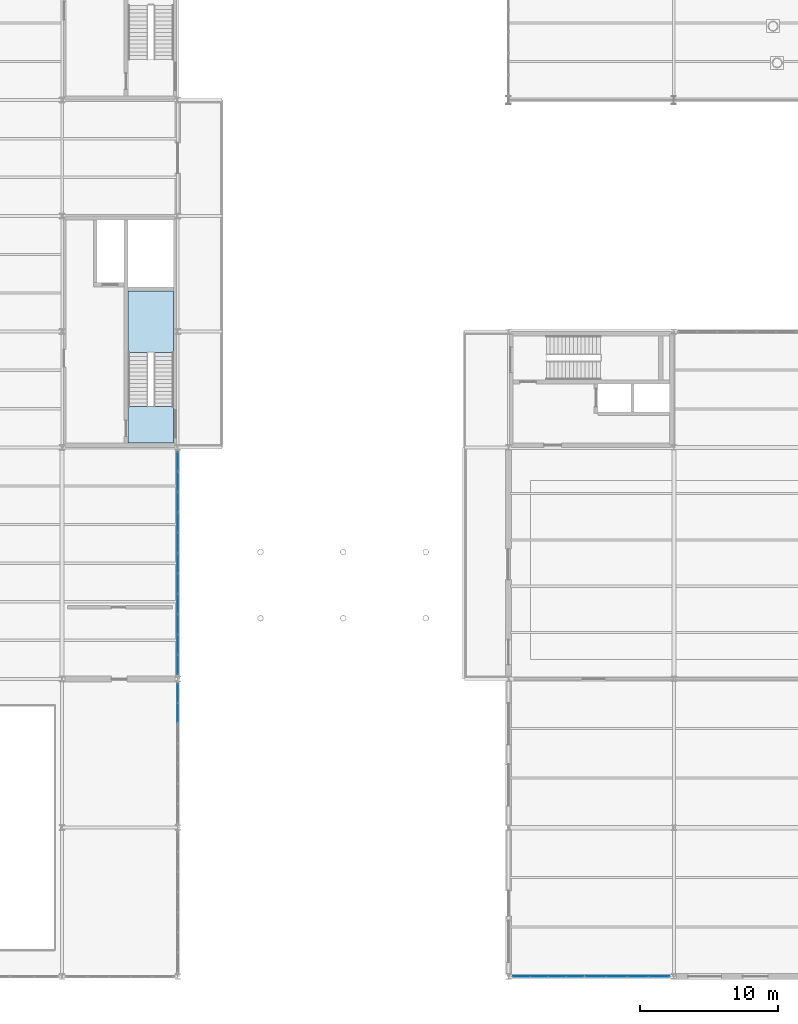
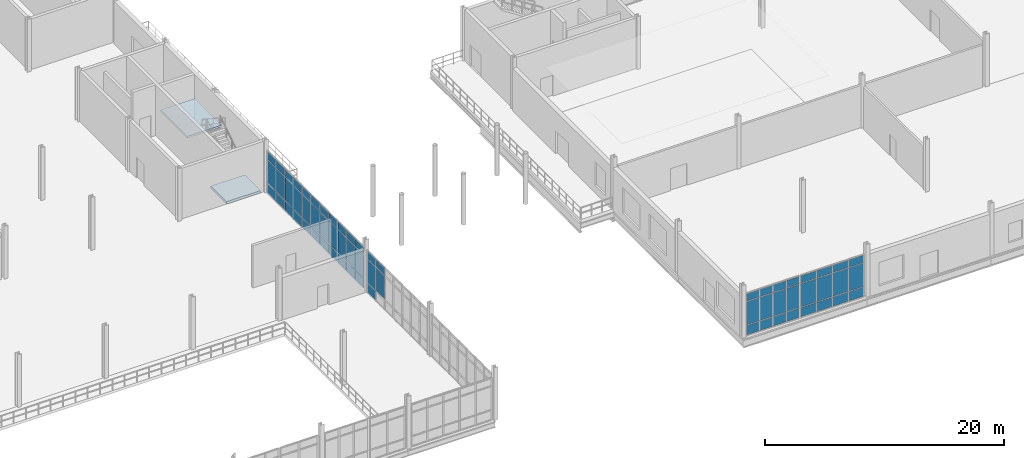
# One storey, part 82 of 111: 62 plates, 2 slabs, 5 elements without a shape of their own.
"""IFC4 building model written with IfcOpenShell, lengths in metres."""

from ifc_helpers import new_model, si_unit, direction, frame, origin, origin_2d, place, context, subcontext, project, spatial, polyline, rectangle, outline, extrude, material, layer, layer_set, type_object, element, aggregate, save


model = new_model("IFC4")

# Units and contexts
model_context = context("Model", 3, precision=1e-05, world=origin(), true_north=direction((0.0, 1.0)))
body_context = subcontext(model_context, "Body", "Model", "MODEL_VIEW")
ifc_project = project(units=[si_unit("LENGTHUNIT", "METRE"), si_unit("AREAUNIT", "SQUARE_METRE"), si_unit("VOLUMEUNIT", "CUBIC_METRE"), si_unit("PLANEANGLEUNIT", "RADIAN"), si_unit("MASSUNIT", "GRAM", prefix="KILO"), si_unit("THERMODYNAMICTEMPERATUREUNIT", "KELVIN"), si_unit("POWERUNIT", "WATT")], contexts=[model_context])

# Site, building, storey
site_placement = place(None, origin())
site = spatial("IfcSite", under=ifc_project, at=site_placement, CompositionType="ELEMENT")
building_placement = place(site_placement, origin())
building = spatial("IfcBuilding", under=site, at=building_placement, Name="Tembeka Court Mobility Hub", CompositionType="ELEMENT")
storey_placement = place(building_placement, origin())
storey = spatial("IfcBuildingStorey", under=building, at=storey_placement, Name="L00", CompositionType="ELEMENT", Elevation=0.0)

# Curtain wall, plates
ifc_material_1 = material(Name="Anodised aluminium 6063-T6", Category="aluminium")
ifc_layer_1 = layer(ifc_material_1, 0.159912109375)
ifc_layer_set_1 = layer_set([ifc_layer_1], Name="Anodised aluminium 6063-T6")
curtain_wall_type_1 = type_object("IfcCurtainWallType", Name="CW-SYS18", PredefinedType="USERDEFINED", material=ifc_layer_set_1)
curtain_wall_1_placement = place(storey_placement, origin())
curtain_wall_1 = element("IfcCurtainWall", 1, at=curtain_wall_1_placement, inside=storey, type_object=curtain_wall_type_1, Name="Unitised curtain wall CW18 (CW-L00-025)", ObjectType="UNITISED GLAZING", PredefinedType="USERDEFINED")
ifc_material_2 = material(Name="Laminated solar-control low-E glass", Category="glass")
ifc_layer_2 = layer(ifc_material_2, 0.028076171875)
ifc_layer_set_2 = layer_set([ifc_layer_2], Name="Laminated solar-control low-E glass")
plate_type = type_object("IfcPlateType", Name="PL-CW01", PredefinedType="CURTAIN_PANEL", material=ifc_layer_set_2)
plate_1_placement = place(storey_placement, frame((92.39990234375, 19.125732421875, 1.08251953125), z_axis=(0.0, 0.0, 1.0), x_axis=(0.0, 1.0, 0.0)))
plate_1 = element("IfcPlate", 2, at=plate_1_placement, type_object=plate_type, Name="CW18 panel 6.2", PredefinedType="CURTAIN_PANEL", context=body_context, shape_type="SweptSolid", body=[
    extrude(rectangle(XDim=1.39794921875, YDim=0.028076171875, at=origin_2d()), origin(), (0.0, 0.0, 1.0), 2.3701171875),
])
plate_2_placement = place(storey_placement, frame((92.39990234375, 19.125732421875, 3.517578125), z_axis=(0.0, 0.0, 1.0), x_axis=(0.0, 1.0, 0.0)))
plate_2 = element("IfcPlate", 3, at=plate_2_placement, type_object=plate_type, Name="CW18 panel 6.3", PredefinedType="CURTAIN_PANEL", context=body_context, shape_type="SweptSolid", body=[
    extrude(rectangle(XDim=1.39794921875, YDim=0.028076171875, at=origin_2d()), origin(), (0.0, 0.0, 1.0), 0.75244140625),
])
plate_3_placement = place(storey_placement, frame((92.39990234375, 20.572265625, 0.06494140625), z_axis=(0.0, 0.0, 1.0), x_axis=(0.0, 1.0, 0.0)))
plate_3 = element("IfcPlate", 4, at=plate_3_placement, type_object=plate_type, Name="CW18 panel 7.1", PredefinedType="CURTAIN_PANEL", context=body_context, shape_type="SweptSolid", body=[
    extrude(rectangle(XDim=1.365478515625, YDim=0.028076171875, at=origin_2d()), origin(), (0.0, 0.0, 1.0), 0.952392578125),
])
plate_4_placement = place(storey_placement, frame((92.39990234375, 20.572265625, 1.08251953125), z_axis=(0.0, 0.0, 1.0), x_axis=(0.0, 1.0, 0.0)))
plate_4 = element("IfcPlate", 5, at=plate_4_placement, type_object=plate_type, Name="CW18 panel 7.2", PredefinedType="CURTAIN_PANEL", context=body_context, shape_type="SweptSolid", body=[
    extrude(rectangle(XDim=1.365478515625, YDim=0.028076171875, at=origin_2d()), origin(), (0.0, 0.0, 1.0), 2.3701171875),
])
plate_5_placement = place(storey_placement, frame((92.39990234375, 20.572265625, 3.517578125), z_axis=(0.0, 0.0, 1.0), x_axis=(0.0, 1.0, 0.0)))
plate_5 = element("IfcPlate", 6, at=plate_5_placement, type_object=plate_type, Name="CW18 panel 7.3", PredefinedType="CURTAIN_PANEL", context=body_context, shape_type="SweptSolid", body=[
    extrude(rectangle(XDim=1.365478515625, YDim=0.028076171875, at=origin_2d()), origin(), (0.0, 0.0, 1.0), 0.75244140625),
])
aggregate(curtain_wall_1, [plate_1, plate_2, plate_3, plate_4, plate_5])

ifc_layer_3 = layer(ifc_material_1, 0.159912109375)
ifc_layer_set_3 = layer_set([ifc_layer_3], Name="Anodised aluminium 6063-T6")
curtain_wall_type_2 = type_object("IfcCurtainWallType", Name="CW-SYS19", PredefinedType="USERDEFINED", material=ifc_layer_set_3)
curtain_wall_2_placement = place(storey_placement, origin())
curtain_wall_2 = element("IfcCurtainWall", 7, at=curtain_wall_2_placement, inside=storey, type_object=curtain_wall_type_2, Name="Unitised curtain wall CW19 (CW-L00-027)", ObjectType="UNITISED GLAZING", PredefinedType="USERDEFINED")
plate_6_placement = place(storey_placement, frame((92.39990234375, 22.634521484375, 0.06494140625), z_axis=(0.0, 0.0, 1.0), x_axis=(0.0, 1.0, 0.0)))
plate_6 = element("IfcPlate", 8, at=plate_6_placement, type_object=plate_type, Name="CW19 panel 1.1", PredefinedType="CURTAIN_PANEL", context=body_context, shape_type="SweptSolid", body=[
    extrude(rectangle(XDim=1.37890625, YDim=0.028076171875, at=origin_2d()), origin(), (0.0, 0.0, 1.0), 0.952392578125),
])
plate_7_placement = place(storey_placement, frame((92.39990234375, 22.634521484375, 1.08251953125), z_axis=(0.0, 0.0, 1.0), x_axis=(0.0, 1.0, 0.0)))
plate_7 = element("IfcPlate", 9, at=plate_7_placement, type_object=plate_type, Name="CW19 panel 1.2", PredefinedType="CURTAIN_PANEL", context=body_context, shape_type="SweptSolid", body=[
    extrude(rectangle(XDim=1.37890625, YDim=0.028076171875, at=origin_2d()), origin(), (0.0, 0.0, 1.0), 2.3701171875),
])
plate_8_placement = place(storey_placement, frame((92.39990234375, 22.634521484375, 3.517578125), z_axis=(0.0, 0.0, 1.0), x_axis=(0.0, 1.0, 0.0)))
plate_8 = element("IfcPlate", 10, at=plate_8_placement, type_object=plate_type, Name="CW19 panel 1.3", PredefinedType="CURTAIN_PANEL", context=body_context, shape_type="SweptSolid", body=[
    extrude(rectangle(XDim=1.37890625, YDim=0.028076171875, at=origin_2d()), origin(), (0.0, 0.0, 1.0), 0.75244140625),
])
plate_9_placement = place(storey_placement, frame((92.39990234375, 24.094482421875, 0.06494140625), z_axis=(0.0, 0.0, 1.0), x_axis=(0.0, 1.0, 0.0)))
plate_9 = element("IfcPlate", 11, at=plate_9_placement, type_object=plate_type, Name="CW19 panel 2.1", PredefinedType="CURTAIN_PANEL", context=body_context, shape_type="SweptSolid", body=[
    extrude(rectangle(XDim=1.411376953125, YDim=0.028076171875, at=origin_2d()), origin(), (0.0, 0.0, 1.0), 0.952392578125),
])
plate_10_placement = place(storey_placement, frame((92.39990234375, 24.094482421875, 1.08251953125), z_axis=(0.0, 0.0, 1.0), x_axis=(0.0, 1.0, 0.0)))
plate_10 = element("IfcPlate", 12, at=plate_10_placement, type_object=plate_type, Name="CW19 panel 2.2", PredefinedType="CURTAIN_PANEL", context=body_context, shape_type="SweptSolid", body=[
    extrude(rectangle(XDim=1.411376953125, YDim=0.028076171875, at=origin_2d()), origin(), (0.0, 0.0, 1.0), 2.3701171875),
])
plate_11_placement = place(storey_placement, frame((92.39990234375, 24.094482421875, 3.517578125), z_axis=(0.0, 0.0, 1.0), x_axis=(0.0, 1.0, 0.0)))
plate_11 = element("IfcPlate", 13, at=plate_11_placement, type_object=plate_type, Name="CW19 panel 2.3", PredefinedType="CURTAIN_PANEL", context=body_context, shape_type="SweptSolid", body=[
    extrude(rectangle(XDim=1.411376953125, YDim=0.028076171875, at=origin_2d()), origin(), (0.0, 0.0, 1.0), 0.75244140625),
])
plate_12_placement = place(storey_placement, frame((92.39990234375, 25.57080078125, 0.06494140625), z_axis=(0.0, 0.0, 1.0), x_axis=(0.0, 1.0, 0.0)))
plate_12 = element("IfcPlate", 14, at=plate_12_placement, type_object=plate_type, Name="CW19 panel 3.1", PredefinedType="CURTAIN_PANEL", context=body_context, shape_type="SweptSolid", body=[
    extrude(rectangle(XDim=1.411376953125, YDim=0.028076171875, at=origin_2d()), origin(), (0.0, 0.0, 1.0), 0.952392578125),
])
plate_13_placement = place(storey_placement, frame((92.39990234375, 25.57080078125, 1.08251953125), z_axis=(0.0, 0.0, 1.0), x_axis=(0.0, 1.0, 0.0)))
plate_13 = element("IfcPlate", 15, at=plate_13_placement, type_object=plate_type, Name="CW19 panel 3.2", PredefinedType="CURTAIN_PANEL", context=body_context, shape_type="SweptSolid", body=[
    extrude(rectangle(XDim=1.411376953125, YDim=0.028076171875, at=origin_2d()), origin(), (0.0, 0.0, 1.0), 2.3701171875),
])
plate_14_placement = place(storey_placement, frame((92.39990234375, 25.57080078125, 3.517578125), z_axis=(0.0, 0.0, 1.0), x_axis=(0.0, 1.0, 0.0)))
plate_14 = element("IfcPlate", 16, at=plate_14_placement, type_object=plate_type, Name="CW19 panel 3.3", PredefinedType="CURTAIN_PANEL", context=body_context, shape_type="SweptSolid", body=[
    extrude(rectangle(XDim=1.411376953125, YDim=0.028076171875, at=origin_2d()), origin(), (0.0, 0.0, 1.0), 0.75244140625),
])
plate_15_placement = place(storey_placement, frame((92.39990234375, 27.04736328125, 0.06494140625), z_axis=(0.0, 0.0, 1.0), x_axis=(0.0, 1.0, 0.0)))
plate_15 = element("IfcPlate", 17, at=plate_15_placement, type_object=plate_type, Name="CW19 panel 4.1", PredefinedType="CURTAIN_PANEL", context=body_context, shape_type="SweptSolid", body=[
    extrude(rectangle(XDim=1.411376953125, YDim=0.028076171875, at=origin_2d()), origin(), (0.0, 0.0, 1.0), 0.952392578125),
])
plate_16_placement = place(storey_placement, frame((92.39990234375, 27.04736328125, 1.08251953125), z_axis=(0.0, 0.0, 1.0), x_axis=(0.0, 1.0, 0.0)))
plate_16 = element("IfcPlate", 18, at=plate_16_placement, type_object=plate_type, Name="CW19 panel 4.2", PredefinedType="CURTAIN_PANEL", context=body_context, shape_type="SweptSolid", body=[
    extrude(rectangle(XDim=1.411376953125, YDim=0.028076171875, at=origin_2d()), origin(), (0.0, 0.0, 1.0), 2.3701171875),
])
plate_17_placement = place(storey_placement, frame((92.39990234375, 27.04736328125, 3.517578125), z_axis=(0.0, 0.0, 1.0), x_axis=(0.0, 1.0, 0.0)))
plate_17 = element("IfcPlate", 19, at=plate_17_placement, type_object=plate_type, Name="CW19 panel 4.3", PredefinedType="CURTAIN_PANEL", context=body_context, shape_type="SweptSolid", body=[
    extrude(rectangle(XDim=1.411376953125, YDim=0.028076171875, at=origin_2d()), origin(), (0.0, 0.0, 1.0), 0.75244140625),
])
plate_18_placement = place(storey_placement, frame((92.39990234375, 28.523681640625, 0.06494140625), z_axis=(0.0, 0.0, 1.0), x_axis=(0.0, 1.0, 0.0)))
plate_18 = element("IfcPlate", 20, at=plate_18_placement, type_object=plate_type, Name="CW19 panel 5.1", PredefinedType="CURTAIN_PANEL", context=body_context, shape_type="SweptSolid", body=[
    extrude(rectangle(XDim=1.411376953125, YDim=0.028076171875, at=origin_2d()), origin(), (0.0, 0.0, 1.0), 0.952392578125),
])
plate_19_placement = place(storey_placement, frame((92.39990234375, 28.523681640625, 1.08251953125), z_axis=(0.0, 0.0, 1.0), x_axis=(0.0, 1.0, 0.0)))
plate_19 = element("IfcPlate", 21, at=plate_19_placement, type_object=plate_type, Name="CW19 panel 5.2", PredefinedType="CURTAIN_PANEL", context=body_context, shape_type="SweptSolid", body=[
    extrude(rectangle(XDim=1.411376953125, YDim=0.028076171875, at=origin_2d()), origin(), (0.0, 0.0, 1.0), 2.3701171875),
])
plate_20_placement = place(storey_placement, frame((92.39990234375, 28.523681640625, 3.517578125), z_axis=(0.0, 0.0, 1.0), x_axis=(0.0, 1.0, 0.0)))
plate_20 = element("IfcPlate", 22, at=plate_20_placement, type_object=plate_type, Name="CW19 panel 5.3", PredefinedType="CURTAIN_PANEL", context=body_context, shape_type="SweptSolid", body=[
    extrude(rectangle(XDim=1.411376953125, YDim=0.028076171875, at=origin_2d()), origin(), (0.0, 0.0, 1.0), 0.75244140625),
])
plate_21_placement = place(storey_placement, frame((92.39990234375, 30.0, 0.06494140625), z_axis=(0.0, 0.0, 1.0), x_axis=(0.0, 1.0, 0.0)))
plate_21 = element("IfcPlate", 23, at=plate_21_placement, type_object=plate_type, Name="CW19 panel 6.1", PredefinedType="CURTAIN_PANEL", context=body_context, shape_type="SweptSolid", body=[
    extrude(rectangle(XDim=1.411376953125, YDim=0.028076171875, at=origin_2d()), origin(), (0.0, 0.0, 1.0), 0.952392578125),
])
plate_22_placement = place(storey_placement, frame((92.39990234375, 30.0, 1.08251953125), z_axis=(0.0, 0.0, 1.0), x_axis=(0.0, 1.0, 0.0)))
plate_22 = element("IfcPlate", 24, at=plate_22_placement, type_object=plate_type, Name="CW19 panel 6.2", PredefinedType="CURTAIN_PANEL", context=body_context, shape_type="SweptSolid", body=[
    extrude(rectangle(XDim=1.411376953125, YDim=0.028076171875, at=origin_2d()), origin(), (0.0, 0.0, 1.0), 2.3701171875),
])
plate_23_placement = place(storey_placement, frame((92.39990234375, 30.0, 3.517578125), z_axis=(0.0, 0.0, 1.0), x_axis=(0.0, 1.0, 0.0)))
plate_23 = element("IfcPlate", 25, at=plate_23_placement, type_object=plate_type, Name="CW19 panel 6.3", PredefinedType="CURTAIN_PANEL", context=body_context, shape_type="SweptSolid", body=[
    extrude(rectangle(XDim=1.411376953125, YDim=0.028076171875, at=origin_2d()), origin(), (0.0, 0.0, 1.0), 0.75244140625),
])
plate_24_placement = place(storey_placement, frame((92.39990234375, 31.476318359375, 0.06494140625), z_axis=(0.0, 0.0, 1.0), x_axis=(0.0, 1.0, 0.0)))
plate_24 = element("IfcPlate", 26, at=plate_24_placement, type_object=plate_type, Name="CW19 panel 7.1", PredefinedType="CURTAIN_PANEL", context=body_context, shape_type="SweptSolid", body=[
    extrude(rectangle(XDim=1.411376953125, YDim=0.028076171875, at=origin_2d()), origin(), (0.0, 0.0, 1.0), 0.952392578125),
])
plate_25_placement = place(storey_placement, frame((92.39990234375, 31.476318359375, 1.08251953125), z_axis=(0.0, 0.0, 1.0), x_axis=(0.0, 1.0, 0.0)))
plate_25 = element("IfcPlate", 27, at=plate_25_placement, type_object=plate_type, Name="CW19 panel 7.2", PredefinedType="CURTAIN_PANEL", context=body_context, shape_type="SweptSolid", body=[
    extrude(rectangle(XDim=1.411376953125, YDim=0.028076171875, at=origin_2d()), origin(), (0.0, 0.0, 1.0), 2.3701171875),
])
plate_26_placement = place(storey_placement, frame((92.39990234375, 31.476318359375, 3.517578125), z_axis=(0.0, 0.0, 1.0), x_axis=(0.0, 1.0, 0.0)))
plate_26 = element("IfcPlate", 28, at=plate_26_placement, type_object=plate_type, Name="CW19 panel 7.3", PredefinedType="CURTAIN_PANEL", context=body_context, shape_type="SweptSolid", body=[
    extrude(rectangle(XDim=1.411376953125, YDim=0.028076171875, at=origin_2d()), origin(), (0.0, 0.0, 1.0), 0.75244140625),
])
plate_27_placement = place(storey_placement, frame((92.39990234375, 32.95263671875, 0.06494140625), z_axis=(0.0, 0.0, 1.0), x_axis=(0.0, 1.0, 0.0)))
plate_27 = element("IfcPlate", 29, at=plate_27_placement, type_object=plate_type, Name="CW19 panel 8.1", PredefinedType="CURTAIN_PANEL", context=body_context, shape_type="SweptSolid", body=[
    extrude(rectangle(XDim=1.411376953125, YDim=0.028076171875, at=origin_2d()), origin(), (0.0, 0.0, 1.0), 0.952392578125),
])
plate_28_placement = place(storey_placement, frame((92.39990234375, 32.95263671875, 1.08251953125), z_axis=(0.0, 0.0, 1.0), x_axis=(0.0, 1.0, 0.0)))
plate_28 = element("IfcPlate", 30, at=plate_28_placement, type_object=plate_type, Name="CW19 panel 8.2", PredefinedType="CURTAIN_PANEL", context=body_context, shape_type="SweptSolid", body=[
    extrude(rectangle(XDim=1.411376953125, YDim=0.028076171875, at=origin_2d()), origin(), (0.0, 0.0, 1.0), 2.3701171875),
])
plate_29_placement = place(storey_placement, frame((92.39990234375, 32.95263671875, 3.517578125), z_axis=(0.0, 0.0, 1.0), x_axis=(0.0, 1.0, 0.0)))
plate_29 = element("IfcPlate", 31, at=plate_29_placement, type_object=plate_type, Name="CW19 panel 8.3", PredefinedType="CURTAIN_PANEL", context=body_context, shape_type="SweptSolid", body=[
    extrude(rectangle(XDim=1.411376953125, YDim=0.028076171875, at=origin_2d()), origin(), (0.0, 0.0, 1.0), 0.75244140625),
])
plate_30_placement = place(storey_placement, frame((92.39990234375, 34.42919921875, 0.06494140625), z_axis=(0.0, 0.0, 1.0), x_axis=(0.0, 1.0, 0.0)))
plate_30 = element("IfcPlate", 32, at=plate_30_placement, type_object=plate_type, Name="CW19 panel 9.1", PredefinedType="CURTAIN_PANEL", context=body_context, shape_type="SweptSolid", body=[
    extrude(rectangle(XDim=1.411376953125, YDim=0.028076171875, at=origin_2d()), origin(), (0.0, 0.0, 1.0), 0.952392578125),
])
plate_31_placement = place(storey_placement, frame((92.39990234375, 34.42919921875, 1.08251953125), z_axis=(0.0, 0.0, 1.0), x_axis=(0.0, 1.0, 0.0)))
plate_31 = element("IfcPlate", 33, at=plate_31_placement, type_object=plate_type, Name="CW19 panel 9.2", PredefinedType="CURTAIN_PANEL", context=body_context, shape_type="SweptSolid", body=[
    extrude(rectangle(XDim=1.411376953125, YDim=0.028076171875, at=origin_2d()), origin(), (0.0, 0.0, 1.0), 2.3701171875),
])
plate_32_placement = place(storey_placement, frame((92.39990234375, 34.42919921875, 3.517578125), z_axis=(0.0, 0.0, 1.0), x_axis=(0.0, 1.0, 0.0)))
plate_32 = element("IfcPlate", 34, at=plate_32_placement, type_object=plate_type, Name="CW19 panel 9.3", PredefinedType="CURTAIN_PANEL", context=body_context, shape_type="SweptSolid", body=[
    extrude(rectangle(XDim=1.411376953125, YDim=0.028076171875, at=origin_2d()), origin(), (0.0, 0.0, 1.0), 0.75244140625),
])
plate_33_placement = place(storey_placement, frame((92.39990234375, 35.905517578125, 0.06494140625), z_axis=(0.0, 0.0, 1.0), x_axis=(0.0, 1.0, 0.0)))
plate_33 = element("IfcPlate", 35, at=plate_33_placement, type_object=plate_type, Name="CW19 panel 10.1", PredefinedType="CURTAIN_PANEL", context=body_context, shape_type="SweptSolid", body=[
    extrude(rectangle(XDim=1.411376953125, YDim=0.028076171875, at=origin_2d()), origin(), (0.0, 0.0, 1.0), 0.952392578125),
])
plate_34_placement = place(storey_placement, frame((92.39990234375, 35.905517578125, 1.08251953125), z_axis=(0.0, 0.0, 1.0), x_axis=(0.0, 1.0, 0.0)))
plate_34 = element("IfcPlate", 36, at=plate_34_placement, type_object=plate_type, Name="CW19 panel 10.2", PredefinedType="CURTAIN_PANEL", context=body_context, shape_type="SweptSolid", body=[
    extrude(rectangle(XDim=1.411376953125, YDim=0.028076171875, at=origin_2d()), origin(), (0.0, 0.0, 1.0), 2.3701171875),
])
plate_35_placement = place(storey_placement, frame((92.39990234375, 35.905517578125, 3.517578125), z_axis=(0.0, 0.0, 1.0), x_axis=(0.0, 1.0, 0.0)))
plate_35 = element("IfcPlate", 37, at=plate_35_placement, type_object=plate_type, Name="CW19 panel 10.3", PredefinedType="CURTAIN_PANEL", context=body_context, shape_type="SweptSolid", body=[
    extrude(rectangle(XDim=1.411376953125, YDim=0.028076171875, at=origin_2d()), origin(), (0.0, 0.0, 1.0), 0.75244140625),
])
plate_36_placement = place(storey_placement, frame((92.39990234375, 37.365478515625, 0.06494140625), z_axis=(0.0, 0.0, 1.0), x_axis=(0.0, 1.0, 0.0)))
plate_36 = element("IfcPlate", 38, at=plate_36_placement, type_object=plate_type, Name="CW19 panel 11.1", PredefinedType="CURTAIN_PANEL", context=body_context, shape_type="SweptSolid", body=[
    extrude(rectangle(XDim=1.37890625, YDim=0.028076171875, at=origin_2d()), origin(), (0.0, 0.0, 1.0), 0.952392578125),
])
plate_37_placement = place(storey_placement, frame((92.39990234375, 37.365478515625, 1.08251953125), z_axis=(0.0, 0.0, 1.0), x_axis=(0.0, 1.0, 0.0)))
plate_37 = element("IfcPlate", 39, at=plate_37_placement, type_object=plate_type, Name="CW19 panel 11.2", PredefinedType="CURTAIN_PANEL", context=body_context, shape_type="SweptSolid", body=[
    extrude(rectangle(XDim=1.37890625, YDim=0.028076171875, at=origin_2d()), origin(), (0.0, 0.0, 1.0), 2.3701171875),
])
plate_38_placement = place(storey_placement, frame((92.39990234375, 37.365478515625, 3.517578125), z_axis=(0.0, 0.0, 1.0), x_axis=(0.0, 1.0, 0.0)))
plate_38 = element("IfcPlate", 40, at=plate_38_placement, type_object=plate_type, Name="CW19 panel 11.3", PredefinedType="CURTAIN_PANEL", context=body_context, shape_type="SweptSolid", body=[
    extrude(rectangle(XDim=1.37890625, YDim=0.028076171875, at=origin_2d()), origin(), (0.0, 0.0, 1.0), 0.75244140625),
])
aggregate(curtain_wall_2, [plate_6, plate_7, plate_8, plate_9, plate_10, plate_11, plate_12, plate_13, plate_14, plate_15, plate_16, plate_17, plate_18, plate_19, plate_20, plate_21, plate_22, plate_23, plate_24, plate_25, plate_26, plate_27, plate_28, plate_29, plate_30, plate_31, plate_32, plate_33, plate_34, plate_35, plate_36, plate_37, plate_38])

ifc_layer_4 = layer(ifc_material_1, 0.159912109375)
ifc_layer_set_4 = layer_set([ifc_layer_4], Name="Anodised aluminium 6063-T6")
curtain_wall_type_3 = type_object("IfcCurtainWallType", Name="CW-SYS31", PredefinedType="USERDEFINED", material=ifc_layer_set_4)
curtain_wall_3_placement = place(storey_placement, origin())
curtain_wall_3 = element("IfcCurtainWall", 41, at=curtain_wall_3_placement, inside=storey, type_object=curtain_wall_type_3, Name="Unitised curtain wall CW31 (CW-L00-093)", ObjectType="UNITISED GLAZING", PredefinedType="USERDEFINED")
plate_39_placement = place(storey_placement, frame((117.3486328125, 0.0, 0.06494140625), z_axis=(0.0, 0.0, 1.0), x_axis=(1.0, 0.0, 0.0)))
plate_39 = element("IfcPlate", 42, at=plate_39_placement, type_object=plate_type, Name="CW31 panel 1.1", PredefinedType="CURTAIN_PANEL", context=body_context, shape_type="SweptSolid", body=[
    extrude(rectangle(XDim=1.20751953125, YDim=0.028076171875, at=origin_2d()), origin(), (0.0, 0.0, 1.0), 0.952392578125),
])
plate_40_placement = place(storey_placement, frame((117.3486328125, 0.0, 1.08251953125), z_axis=(0.0, 0.0, 1.0), x_axis=(1.0, 0.0, 0.0)))
plate_40 = element("IfcPlate", 43, at=plate_40_placement, type_object=plate_type, Name="CW31 panel 1.2", PredefinedType="CURTAIN_PANEL", context=body_context, shape_type="SweptSolid", body=[
    extrude(rectangle(XDim=1.20751953125, YDim=0.028076171875, at=origin_2d()), origin(), (0.0, 0.0, 1.0), 2.3701171875),
])
plate_41_placement = place(storey_placement, frame((117.3486328125, 0.0, 3.517578125), z_axis=(0.0, 0.0, 1.0), x_axis=(1.0, 0.0, 0.0)))
plate_41 = element("IfcPlate", 44, at=plate_41_placement, type_object=plate_type, Name="CW31 panel 1.3", PredefinedType="CURTAIN_PANEL", context=body_context, shape_type="SweptSolid", body=[
    extrude(rectangle(XDim=1.20751953125, YDim=0.028076171875, at=origin_2d()), origin(), (0.0, 0.0, 1.0), 0.75244140625),
])
plate_42_placement = place(storey_placement, frame((118.637451171875, 0.0, 0.06494140625), z_axis=(0.0, 0.0, 1.0), x_axis=(1.0, 0.0, 0.0)))
plate_42 = element("IfcPlate", 45, at=plate_42_placement, type_object=plate_type, Name="CW31 panel 2.1", PredefinedType="CURTAIN_PANEL", context=body_context, shape_type="SweptSolid", body=[
    extrude(rectangle(XDim=1.239990234375, YDim=0.028076171875, at=origin_2d()), origin(), (0.0, 0.0, 1.0), 0.952392578125),
])
plate_43_placement = place(storey_placement, frame((118.637451171875, 0.0, 1.08251953125), z_axis=(0.0, 0.0, 1.0), x_axis=(1.0, 0.0, 0.0)))
plate_43 = element("IfcPlate", 46, at=plate_43_placement, type_object=plate_type, Name="CW31 panel 2.2", PredefinedType="CURTAIN_PANEL", context=body_context, shape_type="SweptSolid", body=[
    extrude(rectangle(XDim=1.239990234375, YDim=0.028076171875, at=origin_2d()), origin(), (0.0, 0.0, 1.0), 2.3701171875),
])
plate_44_placement = place(storey_placement, frame((118.637451171875, 0.0, 3.517578125), z_axis=(0.0, 0.0, 1.0), x_axis=(1.0, 0.0, 0.0)))
plate_44 = element("IfcPlate", 47, at=plate_44_placement, type_object=plate_type, Name="CW31 panel 2.3", PredefinedType="CURTAIN_PANEL", context=body_context, shape_type="SweptSolid", body=[
    extrude(rectangle(XDim=1.239990234375, YDim=0.028076171875, at=origin_2d()), origin(), (0.0, 0.0, 1.0), 0.75244140625),
])
plate_45_placement = place(storey_placement, frame((119.9423828125, 0.0, 0.06494140625), z_axis=(0.0, 0.0, 1.0), x_axis=(1.0, 0.0, 0.0)))
plate_45 = element("IfcPlate", 48, at=plate_45_placement, type_object=plate_type, Name="CW31 panel 3.1", PredefinedType="CURTAIN_PANEL", context=body_context, shape_type="SweptSolid", body=[
    extrude(rectangle(XDim=1.239990234375, YDim=0.028076171875, at=origin_2d()), origin(), (0.0, 0.0, 1.0), 0.952392578125),
])
plate_46_placement = place(storey_placement, frame((119.9423828125, 0.0, 1.08251953125), z_axis=(0.0, 0.0, 1.0), x_axis=(1.0, 0.0, 0.0)))
plate_46 = element("IfcPlate", 49, at=plate_46_placement, type_object=plate_type, Name="CW31 panel 3.2", PredefinedType="CURTAIN_PANEL", context=body_context, shape_type="SweptSolid", body=[
    extrude(rectangle(XDim=1.239990234375, YDim=0.028076171875, at=origin_2d()), origin(), (0.0, 0.0, 1.0), 2.3701171875),
])
plate_47_placement = place(storey_placement, frame((119.9423828125, 0.0, 3.517578125), z_axis=(0.0, 0.0, 1.0), x_axis=(1.0, 0.0, 0.0)))
plate_47 = element("IfcPlate", 50, at=plate_47_placement, type_object=plate_type, Name="CW31 panel 3.3", PredefinedType="CURTAIN_PANEL", context=body_context, shape_type="SweptSolid", body=[
    extrude(rectangle(XDim=1.239990234375, YDim=0.028076171875, at=origin_2d()), origin(), (0.0, 0.0, 1.0), 0.75244140625),
])
plate_48_placement = place(storey_placement, frame((121.231201171875, 0.0, 0.06494140625), z_axis=(0.0, 0.0, 1.0), x_axis=(1.0, 0.0, 0.0)))
plate_48 = element("IfcPlate", 51, at=plate_48_placement, type_object=plate_type, Name="CW31 panel 4.1", PredefinedType="CURTAIN_PANEL", context=body_context, shape_type="SweptSolid", body=[
    extrude(rectangle(XDim=1.20751953125, YDim=0.028076171875, at=origin_2d()), origin(), (0.0, 0.0, 1.0), 0.952392578125),
])
plate_49_placement = place(storey_placement, frame((121.231201171875, 0.0, 1.08251953125), z_axis=(0.0, 0.0, 1.0), x_axis=(1.0, 0.0, 0.0)))
plate_49 = element("IfcPlate", 52, at=plate_49_placement, type_object=plate_type, Name="CW31 panel 4.2", PredefinedType="CURTAIN_PANEL", context=body_context, shape_type="SweptSolid", body=[
    extrude(rectangle(XDim=1.20751953125, YDim=0.028076171875, at=origin_2d()), origin(), (0.0, 0.0, 1.0), 2.3701171875),
])
plate_50_placement = place(storey_placement, frame((121.231201171875, 0.0, 3.517578125), z_axis=(0.0, 0.0, 1.0), x_axis=(1.0, 0.0, 0.0)))
plate_50 = element("IfcPlate", 53, at=plate_50_placement, type_object=plate_type, Name="CW31 panel 4.3", PredefinedType="CURTAIN_PANEL", context=body_context, shape_type="SweptSolid", body=[
    extrude(rectangle(XDim=1.20751953125, YDim=0.028076171875, at=origin_2d()), origin(), (0.0, 0.0, 1.0), 0.75244140625),
])
aggregate(curtain_wall_3, [plate_39, plate_40, plate_41, plate_42, plate_43, plate_44, plate_45, plate_46, plate_47, plate_48, plate_49, plate_50])

ifc_layer_5 = layer(ifc_material_1, 0.159912109375)
ifc_layer_set_5 = layer_set([ifc_layer_5], Name="Anodised aluminium 6063-T6")
curtain_wall_type_4 = type_object("IfcCurtainWallType", Name="CW-SYS32", PredefinedType="USERDEFINED", material=ifc_layer_set_5)
curtain_wall_4_placement = place(storey_placement, origin())
curtain_wall_4 = element("IfcCurtainWall", 54, at=curtain_wall_4_placement, inside=storey, type_object=curtain_wall_type_4, Name="Unitised curtain wall CW32 (CW-L00-094)", ObjectType="UNITISED GLAZING", PredefinedType="USERDEFINED")
plate_51_placement = place(storey_placement, frame((122.728759765625, 0.0, 0.06494140625), z_axis=(0.0, 0.0, 1.0), x_axis=(1.0, 0.0, 0.0)))
plate_51 = element("IfcPlate", 55, at=plate_51_placement, type_object=plate_type, Name="CW32 panel 1.1", PredefinedType="CURTAIN_PANEL", context=body_context, shape_type="SweptSolid", body=[
    extrude(rectangle(XDim=1.447509765625, YDim=0.028076171875, at=origin_2d()), origin(), (0.0, 0.0, 1.0), 0.952392578125),
])
plate_52_placement = place(storey_placement, frame((122.728759765625, 0.0, 1.08251953125), z_axis=(0.0, 0.0, 1.0), x_axis=(1.0, 0.0, 0.0)))
plate_52 = element("IfcPlate", 56, at=plate_52_placement, type_object=plate_type, Name="CW32 panel 1.2", PredefinedType="CURTAIN_PANEL", context=body_context, shape_type="SweptSolid", body=[
    extrude(rectangle(XDim=1.447509765625, YDim=0.028076171875, at=origin_2d()), origin(), (0.0, 0.0, 1.0), 2.3701171875),
])
plate_53_placement = place(storey_placement, frame((122.728759765625, 0.0, 3.517578125), z_axis=(0.0, 0.0, 1.0), x_axis=(1.0, 0.0, 0.0)))
plate_53 = element("IfcPlate", 57, at=plate_53_placement, type_object=plate_type, Name="CW32 panel 1.3", PredefinedType="CURTAIN_PANEL", context=body_context, shape_type="SweptSolid", body=[
    extrude(rectangle(XDim=1.447509765625, YDim=0.028076171875, at=origin_2d()), origin(), (0.0, 0.0, 1.0), 0.75244140625),
])
plate_54_placement = place(storey_placement, frame((124.257568359375, 0.0, 0.06494140625), z_axis=(0.0, 0.0, 1.0), x_axis=(1.0, 0.0, 0.0)))
plate_54 = element("IfcPlate", 58, at=plate_54_placement, type_object=plate_type, Name="CW32 panel 2.1", PredefinedType="CURTAIN_PANEL", context=body_context, shape_type="SweptSolid", body=[
    extrude(rectangle(XDim=1.47998046875, YDim=0.028076171875, at=origin_2d()), origin(), (0.0, 0.0, 1.0), 0.952392578125),
])
plate_55_placement = place(storey_placement, frame((124.257568359375, 0.0, 1.08251953125), z_axis=(0.0, 0.0, 1.0), x_axis=(1.0, 0.0, 0.0)))
plate_55 = element("IfcPlate", 59, at=plate_55_placement, type_object=plate_type, Name="CW32 panel 2.2", PredefinedType="CURTAIN_PANEL", context=body_context, shape_type="SweptSolid", body=[
    extrude(rectangle(XDim=1.47998046875, YDim=0.028076171875, at=origin_2d()), origin(), (0.0, 0.0, 1.0), 2.3701171875),
])
plate_56_placement = place(storey_placement, frame((124.257568359375, 0.0, 3.517578125), z_axis=(0.0, 0.0, 1.0), x_axis=(1.0, 0.0, 0.0)))
plate_56 = element("IfcPlate", 60, at=plate_56_placement, type_object=plate_type, Name="CW32 panel 2.3", PredefinedType="CURTAIN_PANEL", context=body_context, shape_type="SweptSolid", body=[
    extrude(rectangle(XDim=1.47998046875, YDim=0.028076171875, at=origin_2d()), origin(), (0.0, 0.0, 1.0), 0.75244140625),
])
plate_57_placement = place(storey_placement, frame((125.802490234375, 0.0, 0.06494140625), z_axis=(0.0, 0.0, 1.0), x_axis=(1.0, 0.0, 0.0)))
plate_57 = element("IfcPlate", 61, at=plate_57_placement, type_object=plate_type, Name="CW32 panel 3.1", PredefinedType="CURTAIN_PANEL", context=body_context, shape_type="SweptSolid", body=[
    extrude(rectangle(XDim=1.47998046875, YDim=0.028076171875, at=origin_2d()), origin(), (0.0, 0.0, 1.0), 0.952392578125),
])
plate_58_placement = place(storey_placement, frame((125.802490234375, 0.0, 1.08251953125), z_axis=(0.0, 0.0, 1.0), x_axis=(1.0, 0.0, 0.0)))
plate_58 = element("IfcPlate", 62, at=plate_58_placement, type_object=plate_type, Name="CW32 panel 3.2", PredefinedType="CURTAIN_PANEL", context=body_context, shape_type="SweptSolid", body=[
    extrude(rectangle(XDim=1.47998046875, YDim=0.028076171875, at=origin_2d()), origin(), (0.0, 0.0, 1.0), 2.3701171875),
])
plate_59_placement = place(storey_placement, frame((125.802490234375, 0.0, 3.517578125), z_axis=(0.0, 0.0, 1.0), x_axis=(1.0, 0.0, 0.0)))
plate_59 = element("IfcPlate", 63, at=plate_59_placement, type_object=plate_type, Name="CW32 panel 3.3", PredefinedType="CURTAIN_PANEL", context=body_context, shape_type="SweptSolid", body=[
    extrude(rectangle(XDim=1.47998046875, YDim=0.028076171875, at=origin_2d()), origin(), (0.0, 0.0, 1.0), 0.75244140625),
])
plate_60_placement = place(storey_placement, frame((127.331298828125, 0.0, 0.06494140625), z_axis=(0.0, 0.0, 1.0), x_axis=(1.0, 0.0, 0.0)))
plate_60 = element("IfcPlate", 64, at=plate_60_placement, type_object=plate_type, Name="CW32 panel 4.1", PredefinedType="CURTAIN_PANEL", context=body_context, shape_type="SweptSolid", body=[
    extrude(rectangle(XDim=1.447509765625, YDim=0.028076171875, at=origin_2d()), origin(), (0.0, 0.0, 1.0), 0.952392578125),
])
plate_61_placement = place(storey_placement, frame((127.331298828125, 0.0, 1.08251953125), z_axis=(0.0, 0.0, 1.0), x_axis=(1.0, 0.0, 0.0)))
plate_61 = element("IfcPlate", 65, at=plate_61_placement, type_object=plate_type, Name="CW32 panel 4.2", PredefinedType="CURTAIN_PANEL", context=body_context, shape_type="SweptSolid", body=[
    extrude(rectangle(XDim=1.447509765625, YDim=0.028076171875, at=origin_2d()), origin(), (0.0, 0.0, 1.0), 2.3701171875),
])
plate_62_placement = place(storey_placement, frame((127.331298828125, 0.0, 3.517578125), z_axis=(0.0, 0.0, 1.0), x_axis=(1.0, 0.0, 0.0)))
plate_62 = element("IfcPlate", 66, at=plate_62_placement, type_object=plate_type, Name="CW32 panel 4.3", PredefinedType="CURTAIN_PANEL", context=body_context, shape_type="SweptSolid", body=[
    extrude(rectangle(XDim=1.447509765625, YDim=0.028076171875, at=origin_2d()), origin(), (0.0, 0.0, 1.0), 0.75244140625),
])
aggregate(curtain_wall_4, [plate_51, plate_52, plate_53, plate_54, plate_55, plate_56, plate_57, plate_58, plate_59, plate_60, plate_61, plate_62])

# Slab
ifc_material_3 = material(Name="Concrete C40/50", Category="concrete")
ifc_layer_6 = layer(ifc_material_3, 0.199951171875)
ifc_layer_set_6 = layer_set([ifc_layer_6], Name="Concrete C40/50")
slab_type = type_object("IfcSlabType", Name="SL-LD01", PredefinedType="LANDING", material=ifc_layer_set_6)
slab_1_placement = place(storey_placement, frame((0.0, 0.0, -0.25)))
element("IfcSlab", 67, at=slab_1_placement, inside=storey, type_object=slab_type, Name="Stair ST04 L00 floor landing slab", PredefinedType="LANDING", context=body_context, shape_type="SweptSolid", body=[
    extrude(outline(polyline([(88.800048828125, 38.699951171875), (92.10009765625, 38.699951171875), (92.10009765625, 41.35009765625), (88.800048828125, 41.35009765625), (88.800048828125, 38.699951171875)])), origin(), (0.0, 0.0, 1.0), 0.25),
])

# Stair, slab
stair_type = type_object("IfcStairType", Name="STR-ST04L00", PredefinedType="HALF_TURN_STAIR", material=ifc_material_3)
stair_placement = place(storey_placement, origin())
stair = element("IfcStair", 68, at=stair_placement, inside=storey, type_object=stair_type, Name="Protected exit stair ST04 (L00)", PredefinedType="HALF_TURN_STAIR")
slab_2_placement = place(storey_placement, frame((0.0, 0.0, 2.5)))
slab_2 = element("IfcSlab", 69, at=slab_2_placement, type_object=slab_type, Name="ST04L00 landing 1", PredefinedType="LANDING", context=body_context, shape_type="SweptSolid", body=[
    extrude(outline(polyline([(92.10009765625, 45.27001953125), (92.10009765625, 49.75), (88.800048828125, 49.75), (88.800048828125, 45.27001953125), (92.10009765625, 45.27001953125)])), origin(), (0.0, 0.0, 1.0), 0.199951171875),
])
aggregate(stair, [slab_2])

save(model, "model.ifc")
